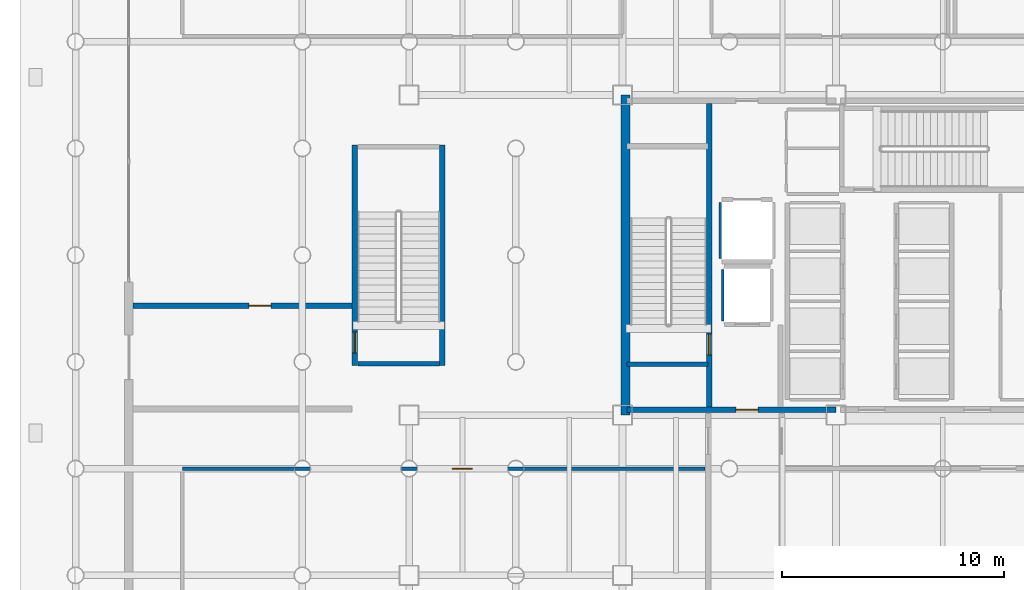
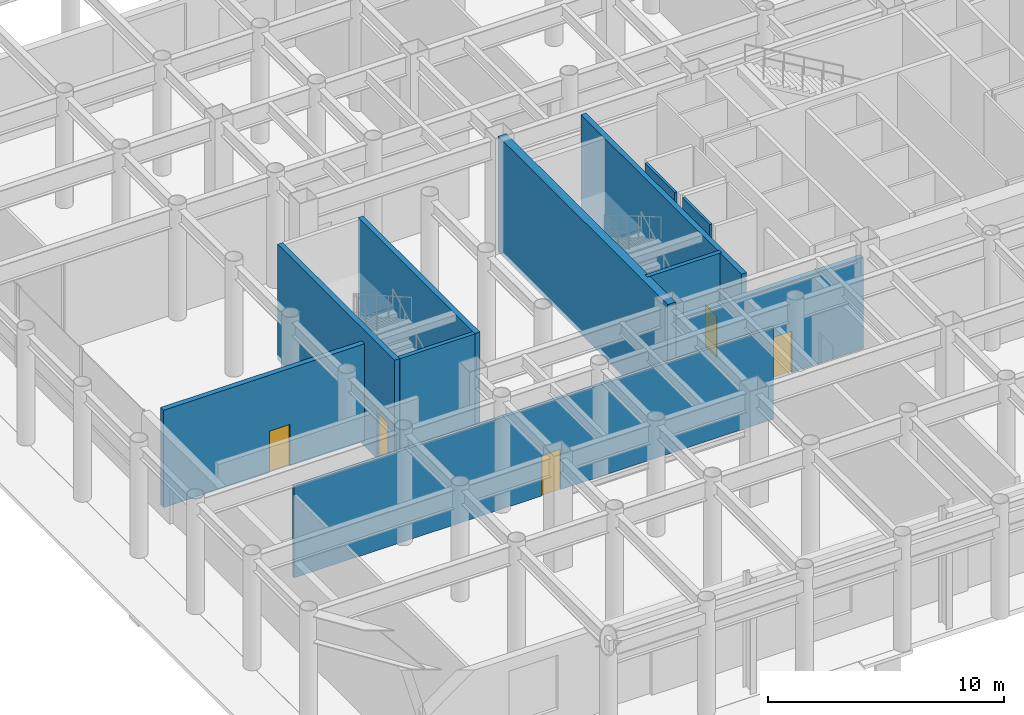
# One storey, part 15 of 23: 11 walls, 5 doors, 5 openings.
"""IFC4 building model written with IfcOpenShell, lengths in metres."""

from ifc_helpers import new_model, si_unit, direction, frame, frame_2d, origin, place, context, subcontext, project, spatial, rectangle, extrude, material, layer, layer_set, type_object, element, fill, save


model = new_model("IFC4")

# Units and contexts
model_context = context("Model", 3, precision=1e-05, world=origin(), true_north=direction((0.0, 1.0)))
body_context = subcontext(model_context, "Body", "Model", "MODEL_VIEW")
ifc_project = project(units=[si_unit("LENGTHUNIT", "METRE"), si_unit("AREAUNIT", "SQUARE_METRE"), si_unit("VOLUMEUNIT", "CUBIC_METRE"), si_unit("PLANEANGLEUNIT", "RADIAN"), si_unit("MASSUNIT", "GRAM", prefix="KILO")], contexts=[model_context])

# Site, building, storey
site_placement = place(None, origin())
site = spatial("IfcSite", under=ifc_project, at=site_placement, CompositionType="ELEMENT")
building_placement = place(site_placement, origin())
building = spatial("IfcBuilding", under=site, at=building_placement, Name="Kallvorn Hotel Tower", CompositionType="ELEMENT")
storey_placement = place(building_placement, origin())
storey = spatial("IfcBuildingStorey", under=building, at=storey_placement, Name="L00", CompositionType="ELEMENT", Elevation=0.0)

# Walls
ifc_material_1 = material(Name="Concrete C50/60", Category="concrete")
ifc_layer_1 = layer(ifc_material_1, 0.39990234375)
ifc_layer_set_1 = layer_set([ifc_layer_1], Name="WL_CORE_400")
wall_type_1 = type_object("IfcWallType", Name="WL_CORE_400", PredefinedType="SHEAR", material=ifc_layer_set_1)
wall_1_placement = place(storey_placement, frame((-14.264892578125, -7.199951171875, -0.25), z_axis=(0.0, 0.0, 1.0), x_axis=(0.0, 1.0, 0.0)))
element("IfcWall", 1, at=wall_1_placement, inside=storey, type_object=wall_type_1, Name="L00 Core West Shear Wall", PredefinedType="SHEAR", context=body_context, shape_type="SweptSolid", body=[
    extrude(rectangle(XDim=14.39990234375, YDim=0.39990234375, at=frame_2d((7.199951171875, 0.0))), origin(), (0.0, 0.0, 1.0), 6.0),
])
ifc_material_2 = material(Name="Concrete C40/50", Category="concrete")
ifc_layer_2 = layer(ifc_material_2, 0.199951171875)
ifc_layer_set_2 = layer_set([ifc_layer_2], Name="WL_HOIST_200")
wall_type_2 = type_object("IfcWallType", Name="WL_HOIST_200", PredefinedType="SOLIDWALL", material=ifc_layer_set_2)
wall_2_placement = place(storey_placement, frame((-14.199951171875, -4.89990234375, -0.25), z_axis=(0.0, 0.0, 1.0), x_axis=(1.0, 0.0, 0.0)))
element("IfcWall", 2, at=wall_2_placement, inside=storey, type_object=wall_type_2, Name="L00 Stair ST1 South Wall", PredefinedType="SOLIDWALL", context=body_context, shape_type="SweptSolid", body=[
    extrude(rectangle(XDim=3.64990234375, YDim=0.199951171875, at=frame_2d((1.824951171875, 0.0))), origin(), (0.0, 0.0, 1.0), 6.0),
])
wall_3_placement = place(storey_placement, frame((-26.31005859375, -4.8798828125, -0.25), z_axis=(0.0, 0.0, 1.0), x_axis=(1.0, 0.0, 0.0)))
element("IfcWall", 3, at=wall_3_placement, inside=storey, type_object=wall_type_2, Name="L00 Podium Exit Stair ST4 South Wall", PredefinedType="SOLIDWALL", context=body_context, shape_type="SweptSolid", body=[
    extrude(rectangle(XDim=3.68017578125, YDim=0.199951171875, at=frame_2d((1.840087890625, 0.0))), origin(), (0.0, 0.0, 1.0), 6.0),
])
ifc_material_3 = material(Name="Fire-rated double-layer acoustic gypsum drywall EI 60")
ifc_layer_3 = layer(ifc_material_3, 0.1201171875)
ifc_layer_set_3 = layer_set([ifc_layer_3], Name="WL_INT_120")
wall_type_3 = type_object("IfcWallType", Name="WL_INT_120", PredefinedType="PARTITIONING", material=ifc_layer_set_3)
wall_4_placement = place(storey_placement, frame((-9.89990234375, -2.9599609375, 0.0), z_axis=(0.0, 0.0, 1.0), x_axis=(0.0, 1.0, 0.0)))
element("IfcWall", 4, at=wall_4_placement, inside=storey, type_object=wall_type_3, Name="L00 FL-1 West Shaft Wall", PredefinedType="PARTITIONING", context=body_context, shape_type="SweptSolid", body=[
    extrude(rectangle(XDim=2.320068359375, YDim=0.1201171875, at=frame_2d((1.16015625, 0.0))), origin(), (0.0, 0.0, 1.0), 5.75),
])
wall_5_placement = place(storey_placement, frame((-10.0, -0.159912109375, 0.0), z_axis=(0.0, 0.0, 1.0), x_axis=(0.0, 1.0, 0.0)))
element("IfcWall", 5, at=wall_5_placement, inside=storey, type_object=wall_type_3, Name="L00 SV-01 West Shaft Wall", PredefinedType="PARTITIONING", context=body_context, shape_type="SweptSolid", body=[
    extrude(rectangle(XDim=2.52001953125, YDim=0.1201171875, at=frame_2d((1.260009765625, 0.0))), origin(), (0.0, 0.0, 1.0), 5.75),
])

# Wall, opening, door
ifc_material_4 = material(Name="Fire-rated double-layer acoustic gypsum drywall EI 60")
ifc_layer_4 = layer(ifc_material_4, 0.14990234375)
ifc_layer_set_4 = layer_set([ifc_layer_4], Name="WL_PART_150")
wall_type_4 = type_object("IfcWallType", Name="WL_PART_150", PredefinedType="PARTITIONING", material=ifc_layer_set_4)
wall_6_placement = place(storey_placement, frame((-34.199951171875, -9.60009765625, 0.0), z_axis=(0.0, 0.0, 1.0), x_axis=(1.0, 0.0, 0.0)))
wall_6 = element("IfcWall", 6, at=wall_6_placement, inside=storey, type_object=wall_type_4, Name="L00 Andean Street Bistro and Espresso Bar Partition", PredefinedType="PARTITIONING", context=body_context, shape_type="SweptSolid", body=[
    extrude(rectangle(XDim=23.5, YDim=0.14990234375, at=frame_2d((11.75, 0.0))), origin(), (0.0, 0.0, 1.0), 4.75),
])
opening_1_placement = place(wall_6_placement, frame((12.14990234375, 0.0, 0.0)))
opening_1 = element("IfcOpeningElement", 7, at=opening_1_placement, cuts=wall_6, Name="Opening SVD1", PredefinedType="OPENING", context=body_context, shape_type="SweptSolid", body=[
    extrude(rectangle(XDim=0.89990234375, YDim=2.10009765625, at=frame_2d((0.449951171875, 1.050048828125))), frame((0.0, 0.08984375, 0.0), z_axis=(0.0, -1.0, 0.0), x_axis=(1.0, 0.0, 0.0)), (0.0, 0.0, 1.0), 0.179931640625),
])
ifc_material_5 = material(Name="Galvanised painted steel fire-rated door assembly", Category="steel")
door_type_1 = type_object("IfcDoorType", Name="DR_SERV_900x2100", OperationType="NOTDEFINED", PredefinedType="DOOR", material=ifc_material_5)
door_1_placement = place(opening_1_placement, origin())
door_1 = element("IfcDoor", 8, at=door_1_placement, inside=storey, type_object=door_type_1, Name="L00 Andean Street Bistro and Espresso Bar Door", OperationType="SINGLE_SWING_RIGHT", OverallHeight=2.10009765625, OverallWidth=0.89990234375, PredefinedType="DOOR", context=body_context, shape_type="SweptSolid", body=[
    extrude(rectangle(XDim=0.89990234375, YDim=2.10009765625, at=frame_2d((0.449951171875, 1.050048828125))), frame((0.0, 0.02490234375, 0.0), z_axis=(0.0, -1.0, 0.0), x_axis=(1.0, 0.0, 0.0)), (0.0, 0.0, 1.0), 0.050048828125),
])
fill(opening_1, door_1)

ifc_material_6 = material(Name="Concrete C40/50", Category="concrete")
ifc_layer_5 = layer(ifc_material_6, 0.25)
ifc_layer_set_5 = layer_set([ifc_layer_5], Name="WL_SHAFT_250")
wall_type_5 = type_object("IfcWallType", Name="WL_SHAFT_250", PredefinedType="SOLIDWALL", material=ifc_layer_set_5)
wall_7_placement = place(storey_placement, frame((-14.199951171875, -6.949951171875, 0.0), z_axis=(0.0, 0.0, 1.0), x_axis=(1.0, 0.0, 0.0)))
wall_7 = element("IfcWall", 9, at=wall_7_placement, inside=storey, type_object=wall_type_5, Name="L00 Core South-West Wall", PredefinedType="SOLIDWALL", context=body_context, shape_type="SweptSolid", body=[
    extrude(rectangle(XDim=9.39990234375, YDim=0.25, at=frame_2d((4.699951171875, 0.0))), origin(), (0.0, 0.0, 1.0), 4.75),
])
opening_2_placement = place(wall_7_placement, frame((4.89990234375, 0.0, 0.0)))
opening_2 = element("IfcOpeningElement", 10, at=opening_2_placement, cuts=wall_7, Name="Opening FD1", PredefinedType="OPENING", context=body_context, shape_type="SweptSolid", body=[
    extrude(rectangle(XDim=1.0, YDim=2.14990234375, at=frame_2d((0.5, 1.074951171875))), frame((0.0, 0.139892578125, 0.0), z_axis=(0.0, -1.0, 0.0), x_axis=(1.0, 0.0, 0.0)), (0.0, 0.0, 1.0), 0.280029296875),
])
ifc_material_7 = material(Name="Galvanised painted steel fire-rated door assembly", Category="steel")
door_type_2 = type_object("IfcDoorType", Name="DR_FFL_1000x2150", OperationType="NOTDEFINED", PredefinedType="DOOR", material=ifc_material_7)
door_2_placement = place(opening_2_placement, origin())
door_2 = element("IfcDoor", 11, at=door_2_placement, inside=storey, type_object=door_type_2, Name="L00 Firefighting Lobby West Door", OperationType="SINGLE_SWING_LEFT", OverallHeight=2.14990234375, OverallWidth=1.0, PredefinedType="DOOR", context=body_context, shape_type="SweptSolid", body=[
    extrude(rectangle(XDim=1.0, YDim=2.14990234375, at=frame_2d((0.5, 1.074951171875))), frame((0.0, 0.02490234375, 0.0), z_axis=(0.0, -1.0, 0.0), x_axis=(1.0, 0.0, 0.0)), (0.0, 0.0, 1.0), 0.050048828125),
])
fill(opening_2, door_2)

wall_8_placement = place(storey_placement, frame((-10.5, -6.820068359375, -0.25), z_axis=(0.0, 0.0, 1.0), x_axis=(0.0, 1.0, 0.0)))
wall_8 = element("IfcWall", 12, at=wall_8_placement, inside=storey, type_object=wall_type_5, Name="L00 Stair ST1 Shaft Wall", PredefinedType="SOLIDWALL", context=body_context, shape_type="SweptSolid", body=[
    extrude(rectangle(XDim=13.64013671875, YDim=0.25, at=frame_2d((6.820068359375, 0.0))), origin(), (0.0, 0.0, 1.0), 6.0),
])
opening_3_placement = place(wall_8_placement, frame((2.320068359375, 0.0, 0.25)))
opening_3 = element("IfcOpeningElement", 13, at=opening_3_placement, cuts=wall_8, Name="Opening SD1", PredefinedType="OPENING", context=body_context, shape_type="SweptSolid", body=[
    extrude(rectangle(XDim=0.949951171875, YDim=2.14990234375, at=frame_2d((0.47509765625, 1.074951171875))), frame((0.0, 0.139892578125, 0.0), z_axis=(0.0, -1.0, 0.0), x_axis=(1.0, 0.0, 0.0)), (0.0, 0.0, 1.0), 0.280029296875),
])
ifc_material_8 = material(Name="Galvanised painted steel fire-rated door assembly", Category="steel")
door_type_3 = type_object("IfcDoorType", Name="DR_STAIR_950x2150", OperationType="NOTDEFINED", PredefinedType="DOOR", material=ifc_material_8)
door_3_placement = place(opening_3_placement, origin())
door_3 = element("IfcDoor", 14, at=door_3_placement, inside=storey, type_object=door_type_3, Name="L00 Exit Stair ST1 Fire Door", OperationType="SINGLE_SWING_LEFT", OverallHeight=2.14990234375, OverallWidth=0.949951171875, PredefinedType="DOOR", context=body_context, shape_type="SweptSolid", body=[
    extrude(rectangle(XDim=0.949951171875, YDim=2.14990234375, at=frame_2d((0.47509765625, 1.074951171875))), frame((0.0, 0.02490234375, 0.0), z_axis=(0.0, -1.0, 0.0), x_axis=(1.0, 0.0, 0.0)), (0.0, 0.0, 1.0), 0.050048828125),
])
fill(opening_3, door_3)

# Wall
wall_9_placement = place(storey_placement, frame((-22.5, -4.9599609375, -0.25), z_axis=(0.0, 0.0, 1.0), x_axis=(0.0, 1.0, 0.0)))
element("IfcWall", 15, at=wall_9_placement, inside=storey, type_object=wall_type_5, Name="L00 Podium Exit Stair ST4 East Wall", PredefinedType="SOLIDWALL", context=body_context, shape_type="SweptSolid", body=[
    extrude(rectangle(XDim=9.919921875, YDim=0.25, at=frame_2d((4.9599609375, 0.0))), origin(), (0.0, 0.0, 1.0), 6.0),
])

# Wall, opening, door
wall_10_placement = place(storey_placement, frame((-26.43994140625, -4.9599609375, -0.25), z_axis=(0.0, 0.0, 1.0), x_axis=(0.0, 1.0, 0.0)))
wall_10 = element("IfcWall", 16, at=wall_10_placement, inside=storey, type_object=wall_type_5, Name="L00 Podium Exit Stair ST4 West Wall", PredefinedType="SOLIDWALL", context=body_context, shape_type="SweptSolid", body=[
    extrude(rectangle(XDim=9.919921875, YDim=0.25, at=frame_2d((4.9599609375, 0.0))), origin(), (0.0, 0.0, 1.0), 6.0),
])
opening_4_placement = place(wall_10_placement, frame((0.550048828125, 0.0, 0.25)))
opening_4 = element("IfcOpeningElement", 17, at=opening_4_placement, cuts=wall_10, Name="Opening SD1", PredefinedType="OPENING", context=body_context, shape_type="SweptSolid", body=[
    extrude(rectangle(XDim=0.949951171875, YDim=2.14990234375, at=frame_2d((0.47509765625, 1.074951171875))), frame((0.0, 0.139892578125, 0.0), z_axis=(0.0, -1.0, 0.0), x_axis=(1.0, 0.0, 0.0)), (0.0, 0.0, 1.0), 0.280029296875),
])
door_4_placement = place(opening_4_placement, origin())
door_4 = element("IfcDoor", 18, at=door_4_placement, inside=storey, type_object=door_type_3, Name="L00 Exit Stair ST4 Protected Discharge Fire Door", OperationType="SINGLE_SWING_RIGHT", OverallHeight=2.14990234375, OverallWidth=0.949951171875, PredefinedType="DOOR", context=body_context, shape_type="SweptSolid", body=[
    extrude(rectangle(XDim=0.949951171875, YDim=2.14990234375, at=frame_2d((0.47509765625, 1.074951171875))), frame((0.0, 0.02490234375, 0.0), z_axis=(0.0, -1.0, 0.0), x_axis=(1.0, 0.0, 0.0)), (0.0, 0.0, 1.0), 0.050048828125),
])
fill(opening_4, door_4)

wall_11_placement = place(storey_placement, frame((-36.409912109375, -2.280029296875, 0.0), z_axis=(0.0, 0.0, 1.0), x_axis=(1.0, 0.0, 0.0)))
wall_11 = element("IfcWall", 19, at=wall_11_placement, inside=storey, type_object=wall_type_5, Name="L00 West Protected Exit Passageway North Wall", PredefinedType="SOLIDWALL", context=body_context, shape_type="SweptSolid", body=[
    extrude(rectangle(XDim=9.849853515625, YDim=0.25, at=frame_2d((4.9248046875, 0.0))), origin(), (0.0, 0.0, 1.0), 5.050048828125),
])
opening_5_placement = place(wall_11_placement, frame((5.199951171875, 0.0, 0.0)))
opening_5 = element("IfcOpeningElement", 20, at=opening_5_placement, cuts=wall_11, Name="Opening FD1", PredefinedType="OPENING", context=body_context, shape_type="SweptSolid", body=[
    extrude(rectangle(XDim=1.0, YDim=2.14990234375, at=frame_2d((0.5, 1.074951171875))), frame((0.0, 0.139892578125, 0.0), z_axis=(0.0, -1.0, 0.0), x_axis=(1.0, 0.0, 0.0)), (0.0, 0.0, 1.0), 0.280029296875),
])
door_5_placement = place(opening_5_placement, origin())
door_5 = element("IfcDoor", 21, at=door_5_placement, inside=storey, type_object=door_type_2, Name="L00 West Protected Exit Passageway Vestibule Fire Door", OperationType="SINGLE_SWING_LEFT", OverallHeight=2.14990234375, OverallWidth=1.0, PredefinedType="DOOR", context=body_context, shape_type="SweptSolid", body=[
    extrude(rectangle(XDim=1.0, YDim=2.14990234375, at=frame_2d((0.5, 1.074951171875))), frame((0.0, 0.02490234375, 0.0), z_axis=(0.0, -1.0, 0.0), x_axis=(1.0, 0.0, 0.0)), (0.0, 0.0, 1.0), 0.050048828125),
])
fill(opening_5, door_5)

save(model, "model.ifc")
